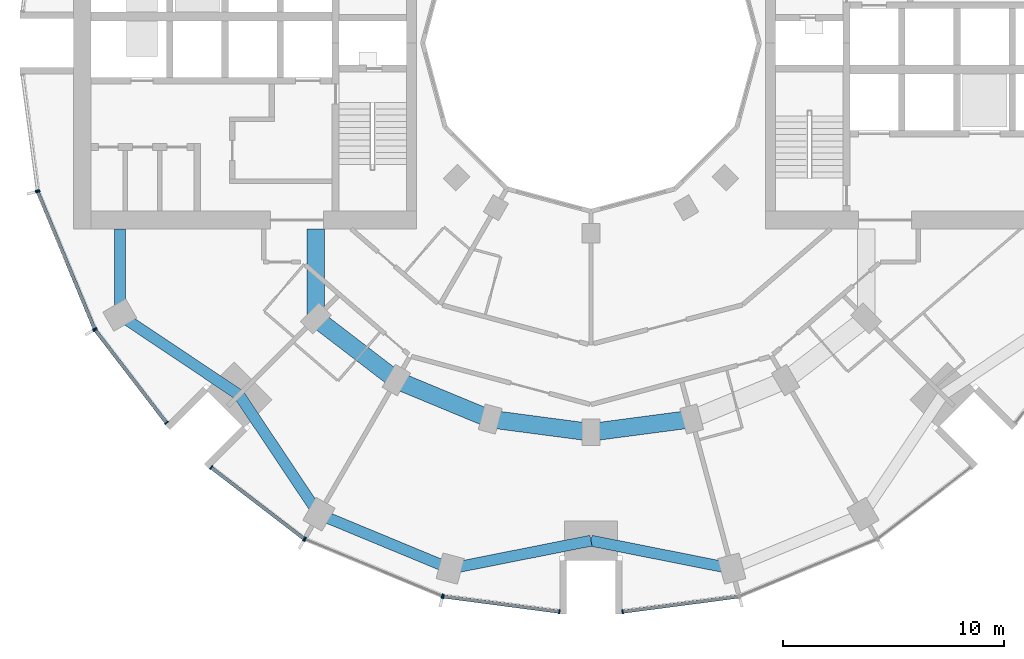
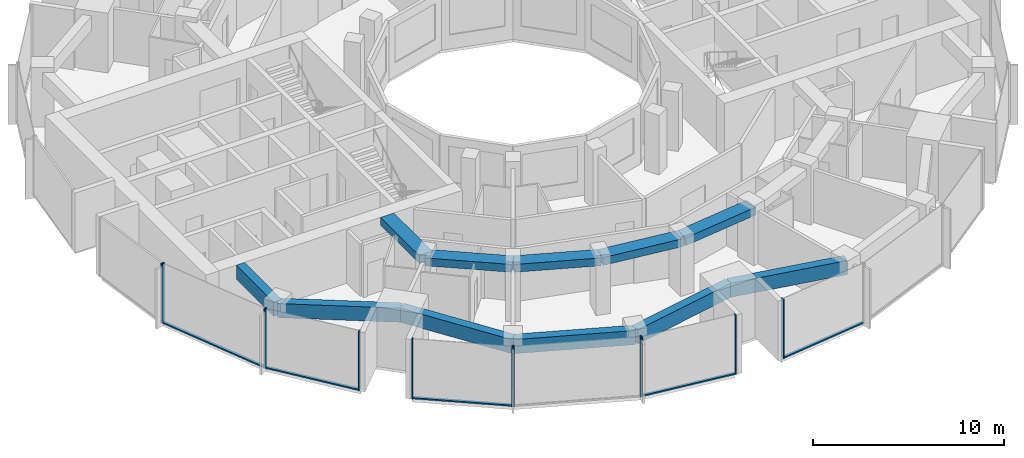
# One storey, part 2 of 15: 17 members, 11 beams, 7 elements without a shape of their own.
"""IFC4 building model written with IfcOpenShell, lengths in metres."""

import ifcopenshell
import ifcopenshell.guid

model = None  # the IFC model being written
_history = None  # IfcOwnerHistory: only IFC2X3 demands one
_inside = {}  # id of a spatial element -> (the spatial element, [elements in it])
_under = {}  # id of a project, library or spatial element -> (it, [spatial elements below it])
_declared = {}  # id of a project -> (the project, [libraries it declares])
_typed = {}  # id of a type object -> (the type object, [elements of that type])
_made_of = {}  # id of a material, layer set ... -> (it, [elements and type objects made of it])


def new_model(schema):
    """Start an empty IFC model of exactly this schema.

    Asked for "IFC4X3", IfcOpenShell would pick the latest addendum, in which some entities
    have other attributes; the version numbers below select the first issue.
    IFC2X3 requires an IfcOwnerHistory on every rooted entity: one is made here for all.
    """
    global model, _history
    if schema == "IFC4X3":
        model = ifcopenshell.file(schema_version=(4, 3, 0, 0))
    else:
        model = ifcopenshell.file(schema=schema)
    _inside.clear()
    _under.clear()
    _declared.clear()
    _typed.clear()
    _made_of.clear()
    _history = None
    if model.schema == "IFC2X3":
        org = make("IfcOrganization", Name="unknown")
        user = make(
            "IfcPersonAndOrganization",
            ThePerson=make("IfcPerson", FamilyName="unknown"),
            TheOrganization=org,
        )
        app = make(
            "IfcApplication",
            ApplicationDeveloper=org,
            Version="unknown",
            ApplicationFullName="unknown",
            ApplicationIdentifier="unknown",
        )
        _history = make(
            "IfcOwnerHistory",
            OwningUser=user,
            OwningApplication=app,
            ChangeAction="ADDED",
            CreationDate=0,
        )
    return model


def make(cls, **values):
    """One entity of the class cls with the attributes given. An attribute that is None is left unset."""
    return model.create_entity(
        cls, **{name: value for name, value in values.items() if value is not None}
    )


def rooted(cls, **values):
    """An entity with a GlobalId (a new one), such as an element, a storey or a relation."""
    return make(cls, GlobalId=ifcopenshell.guid.new(), OwnerHistory=_history, **values)


def si_unit(unit_type, name, prefix=None):
    """IfcSIUnit, for example si_unit("LENGTHUNIT", "METRE", prefix="MILLI")."""
    return make("IfcSIUnit", UnitType=unit_type, Prefix=prefix, Name=name)


def assignment(units):
    """IfcUnitAssignment: the units of a project."""
    return None if units is None else make("IfcUnitAssignment", Units=units)


def point(xyz):
    """IfcCartesianPoint."""
    return None if xyz is None else make("IfcCartesianPoint", Coordinates=xyz)


def direction(xyz):
    """IfcDirection."""
    return None if xyz is None else make("IfcDirection", DirectionRatios=xyz)


def frame(location, z_axis=None, x_axis=None):
    """IfcAxis2Placement3D, a coordinate frame: its origin and axes. An axis left out is left unset."""
    return make(
        "IfcAxis2Placement3D",
        Location=point(location),
        Axis=direction(z_axis),
        RefDirection=direction(x_axis),
    )


def frame_2d(location, x_axis=None):
    """IfcAxis2Placement2D, a coordinate frame in the plane: its origin and x axis."""
    return make(
        "IfcAxis2Placement2D", Location=point(location), RefDirection=direction(x_axis)
    )


def origin():
    """The frame at (0, 0, 0) with its axes left unset."""
    return frame((0.0, 0.0, 0.0))


def origin_2d():
    """The frame at (0, 0) in the plane with its x axis left unset."""
    return frame_2d((0.0, 0.0))


def place(relative_to, where):
    """IfcLocalPlacement: puts the frame where relative to a parent placement (None: the world)."""
    return make(
        "IfcLocalPlacement", PlacementRelTo=relative_to, RelativePlacement=where
    )


def context(
    kind, dimensions, precision=None, world=None, true_north=None, identifier=None
):
    """IfcGeometricRepresentationContext, for example the 3D "Model" context."""
    return make(
        "IfcGeometricRepresentationContext",
        ContextIdentifier=identifier,
        ContextType=kind,
        CoordinateSpaceDimension=dimensions,
        Precision=precision,
        WorldCoordinateSystem=world,
        TrueNorth=true_north,
    )


def subcontext(parent, identifier, kind, view, scale=None):
    """IfcGeometricRepresentationSubContext, for example "Body" below "Model"."""
    return make(
        "IfcGeometricRepresentationSubContext",
        ContextIdentifier=identifier,
        ContextType=kind,
        ParentContext=parent,
        TargetScale=scale,
        TargetView=view,
    )


def project(units=None, contexts=None):
    """IfcProject with its units and contexts."""
    return rooted(
        "IfcProject",
        Name="project",
        RepresentationContexts=contexts,
        UnitsInContext=assignment(units),
    )


def spatial(cls, under=None, at=None, **own):
    """A site, building, storey or space (cls), placed at a placement, below another one or the project."""
    s = rooted(cls, ObjectPlacement=at, **own)
    if under is not None:
        _under.setdefault(under.id(), (under, []))[1].append(s)
    return s


def profile(cls, at=None, kind="AREA", **sizes):
    """A parametric profile (cls). Its sizes go by their IFC names, for example OverallWidth=200.0."""
    return make(cls, ProfileType=kind, Position=at, **sizes)


def rectangle(**sizes):
    """IfcRectangleProfileDef."""
    return profile("IfcRectangleProfileDef", **sizes)


def extrude(swept, where, along, depth):
    """IfcExtrudedAreaSolid: the profile swept, set in the frame where, extruded along a direction by depth."""
    return make(
        "IfcExtrudedAreaSolid",
        SweptArea=swept,
        Position=where,
        ExtrudedDirection=direction(along),
        Depth=depth,
    )


def shape(context_of_items, identifier, shape_type, items):
    """IfcShapeRepresentation: the items that make up one representation, for example the "Body"."""
    return make(
        "IfcShapeRepresentation",
        ContextOfItems=context_of_items,
        RepresentationIdentifier=identifier,
        RepresentationType=shape_type,
        Items=items,
    )


def material(Name=None, Category=None):
    """IfcMaterial."""
    return make("IfcMaterial", Name=Name, Category=Category)


def layer(
    of_material, thickness, ventilated=None, Name=None, Category=None, Priority=None
):
    """IfcMaterialLayer: one layer of a wall or slab, of a material (None: an air gap)."""
    return make(
        "IfcMaterialLayer",
        Material=of_material,
        LayerThickness=thickness,
        IsVentilated=ventilated,
        Name=Name,
        Category=Category,
        Priority=Priority,
    )


def layer_set(layers, Name=None):
    """IfcMaterialLayerSet."""
    return make("IfcMaterialLayerSet", MaterialLayers=layers, LayerSetName=Name)


def material_profile(
    of_material, cross_section, Name=None, Category=None, Priority=None
):
    """IfcMaterialProfile: a cross section and its material."""
    return make(
        "IfcMaterialProfile",
        Name=Name,
        Material=of_material,
        Profile=cross_section,
        Priority=Priority,
        Category=Category,
    )


def profile_set(profiles, Name=None, composite=None):
    """IfcMaterialProfileSet."""
    return make(
        "IfcMaterialProfileSet",
        Name=Name,
        MaterialProfiles=profiles,
        CompositeProfile=composite,
    )


def made_of(thing, what):
    """Note that an element or type object is made of a material, layer set ...; save() writes the relation."""
    if what is not None:
        _made_of.setdefault(what.id(), (what, []))[1].append(thing)
    return thing


def type_object(cls, material=None, **own):
    """A type object (cls), such as IfcWallType, which elements share."""
    return made_of(rooted(cls, **own), material)


def element(
    cls,
    number,
    at=None,
    inside=None,
    cuts=None,
    type_object=None,
    material=None,
    context=None,
    identifier="Body",
    shape_type=None,
    held_by="IfcProductDefinitionShape",
    body=None,
    shapes=None,
    **own,
):
    """One element of the class cls, such as IfcWall. Its Tag is "e" and its number.

    at: its placement. inside: the storey or other place that contains it. cuts: it is an
    opening in that element (IfcRelVoidsElement). A single representation is given by context,
    identifier, shape_type and body (its items); several are given by shapes. held_by: the class
    of the entity that holds the representations. save() writes the other relations.
    """
    e = rooted(cls, Tag="e%d" % number, ObjectPlacement=at, **own)
    if body is not None:
        shapes = [shape(context, identifier, shape_type, body)]
    if shapes is not None:
        e.Representation = make(held_by, Representations=shapes)
    if inside is not None:
        _inside.setdefault(inside.id(), (inside, []))[1].append(e)
    if cuts is not None:
        rooted(
            "IfcRelVoidsElement", RelatingBuildingElement=cuts, RelatedOpeningElement=e
        )
    if type_object is not None:
        _typed.setdefault(type_object.id(), (type_object, []))[1].append(e)
    return made_of(e, material)


def aggregate(whole, parts):
    """IfcRelAggregates: a whole, such as a stair, and the parts it consists of."""
    return rooted("IfcRelAggregates", RelatingObject=whole, RelatedObjects=parts)


def save(model, path):
    """Write the relations noted so far, then the file.

    IfcRelAggregates (storeys below a building ...), IfcRelContainedInSpatialStructure (elements
    in a storey), IfcRelDefinesByType, IfcRelAssociatesMaterial and IfcRelDeclares: one each for
    every whole, place, type object, material and project.
    """
    for whole, parts in _under.values():
        aggregate(whole, parts)
    for where, things in _inside.values():
        rooted(
            "IfcRelContainedInSpatialStructure",
            RelatedElements=things,
            RelatingStructure=where,
        )
    for kind, things in _typed.values():
        rooted("IfcRelDefinesByType", RelatedObjects=things, RelatingType=kind)
    for what, things in _made_of.values():
        rooted("IfcRelAssociatesMaterial", RelatedObjects=things, RelatingMaterial=what)
    for by, libraries in _declared.values():
        rooted("IfcRelDeclares", RelatingContext=by, RelatedDefinitions=libraries)
    model.write(path)


model = new_model("IFC4")

# Units and contexts
model_context = context("Model", 3, precision=1e-05, world=origin(), true_north=direction((0.0, 1.0)))
body_context = subcontext(model_context, "Body", "Model", "MODEL_VIEW")
ifc_project = project(units=[si_unit("LENGTHUNIT", "METRE"), si_unit("AREAUNIT", "SQUARE_METRE"), si_unit("VOLUMEUNIT", "CUBIC_METRE"), si_unit("PLANEANGLEUNIT", "RADIAN"), si_unit("MASSUNIT", "GRAM", prefix="KILO")], contexts=[model_context])

# Site, building, storey
site_placement = place(None, origin())
site = spatial("IfcSite", under=ifc_project, at=site_placement, CompositionType="ELEMENT")
building_placement = place(site_placement, origin())
building = spatial("IfcBuilding", under=site, at=building_placement, Name="Torre Brocal", CompositionType="ELEMENT")
storey_placement = place(building_placement, frame((0.0, 0.0, 93.800048828125)))
storey = spatial("IfcBuildingStorey", under=building, at=storey_placement, Name="L21", CompositionType="ELEMENT", Elevation=93.800048828125)

# Curtain wall, members
ifc_material_1 = material(Name="Aluminium and glass", Category="aluminium")
ifc_layer_1 = layer(ifc_material_1, 0.199951171875)
ifc_layer_set_1 = layer_set([ifc_layer_1], Name="Aluminium and glass")
curtain_wall_type_1 = type_object("IfcCurtainWallType", Name="CW-1 CURTAIN WALL 3800 HIGH", PredefinedType="NOTDEFINED", material=ifc_layer_set_1)
curtain_wall_1_placement = place(storey_placement, origin())
curtain_wall_1 = element("IfcCurtainWall", 1, at=curtain_wall_1_placement, inside=storey, type_object=curtain_wall_type_1, Name="CW-1 RUN 14", PredefinedType="NOTDEFINED")
ifc_material_2 = material(Name="Aluminium, dark anodised", Category="aluminium")
ifc_material_profile_1 = material_profile(ifc_material_2, rectangle(XDim=0.199951171875, YDim=0.06005859375, at=origin_2d()), Name="CW-1 MULLION 60X200")
ifc_profile_set_1 = profile_set([ifc_material_profile_1], Name="Aluminium, dark anodised")
member_type_1 = type_object("IfcMemberType", Name="CW-1 MULLION 60X200", PredefinedType="MULLION", material=ifc_profile_set_1)
member_1_placement = place(storey_placement, frame((54.994873046875, 68.26904296875, 0.0), z_axis=(0.0, 0.0, 1.0), x_axis=(0.923879532525, 0.382683432333, 0.0)))
member_1 = element("IfcMember", 2, at=member_1_placement, type_object=member_type_1, Name="CW1-1 mullion 1", PredefinedType="MULLION", context=body_context, shape_type="SweptSolid", body=[
    extrude(rectangle(XDim=0.199951171875, YDim=0.06005859375, at=origin_2d()), origin(), (0.0, 0.0, 1.0), 3.800048828125),
])
member_2_placement = place(storey_placement, frame((57.559326171875, 62.078125, 0.0), z_axis=(0.0, 0.0, 1.0), x_axis=(0.923879532525, 0.382683432333, 0.0)))
member_2 = element("IfcMember", 3, at=member_2_placement, type_object=member_type_1, Name="CW1-1 mullion 2", PredefinedType="MULLION", context=body_context, shape_type="SweptSolid", body=[
    extrude(rectangle(XDim=0.199951171875, YDim=0.06005859375, at=origin_2d()), origin(), (0.0, 0.0, 1.0), 3.800048828125),
])

curtain_wall_2_placement = place(storey_placement, origin())
curtain_wall_2 = element("IfcCurtainWall", 4, at=curtain_wall_2_placement, inside=storey, type_object=curtain_wall_type_1, Name="CW-1 RUN 15", PredefinedType="NOTDEFINED")
member_3_placement = place(storey_placement, frame((57.5888671875, 62.026611328125, 0.0), z_axis=(0.0, 0.0, 1.0), x_axis=(0.793353340259, 0.60876142905, 0.0)))
member_3 = element("IfcMember", 5, at=member_3_placement, type_object=member_type_1, Name="CW1-1 mullion 1", PredefinedType="MULLION", context=body_context, shape_type="SweptSolid", body=[
    extrude(rectangle(XDim=0.199951171875, YDim=0.06005859375, at=origin_2d()), origin(), (0.0, 0.0, 1.0), 3.800048828125),
])
member_4_placement = place(storey_placement, frame((60.80859375, 57.83056640625, 0.0), z_axis=(0.0, 0.0, 1.0), x_axis=(0.793353340259, 0.60876142905, 0.0)))
member_4 = element("IfcMember", 6, at=member_4_placement, type_object=member_type_1, Name="CW1-1 mullion 2", PredefinedType="MULLION", context=body_context, shape_type="SweptSolid", body=[
    extrude(rectangle(XDim=0.199951171875, YDim=0.06005859375, at=origin_2d()), origin(), (0.0, 0.0, 1.0), 3.800048828125),
])

curtain_wall_3_placement = place(storey_placement, origin())
curtain_wall_3 = element("IfcCurtainWall", 7, at=curtain_wall_3_placement, inside=storey, type_object=curtain_wall_type_1, Name="CW-1 RUN 16", PredefinedType="NOTDEFINED")
member_5_placement = place(storey_placement, frame((62.83056640625, 55.80859375, 0.0), z_axis=(0.0, 0.0, 1.0), x_axis=(0.60876142905, 0.793353340259, 0.0)))
member_5 = element("IfcMember", 8, at=member_5_placement, type_object=member_type_1, Name="CW1-1 mullion 1", PredefinedType="MULLION", context=body_context, shape_type="SweptSolid", body=[
    extrude(rectangle(XDim=0.199951171875, YDim=0.06005859375, at=origin_2d()), origin(), (0.0, 0.0, 1.0), 3.800048828125),
])
member_6_placement = place(storey_placement, frame((67.026611328125, 52.5888671875, 0.0), z_axis=(0.0, 0.0, 1.0), x_axis=(0.60876142905, 0.793353340259, 0.0)))
member_6 = element("IfcMember", 9, at=member_6_placement, type_object=member_type_1, Name="CW1-1 mullion 2", PredefinedType="MULLION", context=body_context, shape_type="SweptSolid", body=[
    extrude(rectangle(XDim=0.199951171875, YDim=0.06005859375, at=origin_2d()), origin(), (0.0, 0.0, 1.0), 3.800048828125),
])

curtain_wall_4_placement = place(storey_placement, origin())
curtain_wall_4 = element("IfcCurtainWall", 10, at=curtain_wall_4_placement, inside=storey, type_object=curtain_wall_type_1, Name="CW-1 RUN 17", PredefinedType="NOTDEFINED")
member_7_placement = place(storey_placement, frame((67.078125, 52.559326171875, 0.0), z_axis=(0.0, 0.0, 1.0), x_axis=(0.382683432333, 0.923879532525, 0.0)))
member_7 = element("IfcMember", 11, at=member_7_placement, type_object=member_type_1, Name="CW1-1 mullion 1", PredefinedType="MULLION", context=body_context, shape_type="SweptSolid", body=[
    extrude(rectangle(XDim=0.199951171875, YDim=0.06005859375, at=origin_2d()), origin(), (0.0, 0.0, 1.0), 3.800048828125),
])
member_8_placement = place(storey_placement, frame((73.26904296875, 49.994873046875, 0.0), z_axis=(0.0, 0.0, 1.0), x_axis=(0.382683432333, 0.923879532525, 0.0)))
member_8 = element("IfcMember", 12, at=member_8_placement, type_object=member_type_1, Name="CW1-1 mullion 2", PredefinedType="MULLION", context=body_context, shape_type="SweptSolid", body=[
    extrude(rectangle(XDim=0.199951171875, YDim=0.06005859375, at=origin_2d()), origin(), (0.0, 0.0, 1.0), 3.800048828125),
])
aggregate(curtain_wall_4, [member_7, member_8])

curtain_wall_5_placement = place(storey_placement, origin())
curtain_wall_5 = element("IfcCurtainWall", 13, at=curtain_wall_5_placement, inside=storey, type_object=curtain_wall_type_1, Name="CW-1 RUN 18", PredefinedType="NOTDEFINED")
member_9_placement = place(storey_placement, frame((73.32666015625, 49.9794921875, 0.0), z_axis=(0.0, 0.0, 1.0), x_axis=(0.13052619222, 0.991444861374, 0.0)))
member_9 = element("IfcMember", 14, at=member_9_placement, type_object=member_type_1, Name="CW1-1 mullion 1", PredefinedType="MULLION", context=body_context, shape_type="SweptSolid", body=[
    extrude(rectangle(XDim=0.199951171875, YDim=0.06005859375, at=origin_2d()), origin(), (0.0, 0.0, 1.0), 3.800048828125),
])
member_10_placement = place(storey_placement, frame((78.5703125, 49.2890625, 0.0), z_axis=(0.0, 0.0, 1.0), x_axis=(0.13052619222, 0.991444861374, 0.0)))
member_10 = element("IfcMember", 15, at=member_10_placement, type_object=member_type_1, Name="CW1-1 mullion 2", PredefinedType="MULLION", context=body_context, shape_type="SweptSolid", body=[
    extrude(rectangle(XDim=0.199951171875, YDim=0.06005859375, at=origin_2d()), origin(), (0.0, 0.0, 1.0), 3.800048828125),
])

# Curtain wall, member
curtain_wall_6_placement = place(storey_placement, origin())
curtain_wall_6 = element("IfcCurtainWall", 16, at=curtain_wall_6_placement, inside=storey, type_object=curtain_wall_type_1, Name="CW-1 RUN 19", PredefinedType="NOTDEFINED")
member_11_placement = place(storey_placement, frame((81.4296875, 49.2890625, 0.0), z_axis=(0.0, 0.0, 1.0), x_axis=(-0.13052619222, 0.991444861374, 0.0)))
member_11 = element("IfcMember", 17, at=member_11_placement, type_object=member_type_1, Name="CW1-1 mullion 1", PredefinedType="MULLION", context=body_context, shape_type="SweptSolid", body=[
    extrude(rectangle(XDim=0.199951171875, YDim=0.06005859375, at=origin_2d()), origin(), (0.0, 0.0, 1.0), 3.800048828125),
])

# Member
ifc_material_3 = material(Name="Aluminium, dark anodised", Category="aluminium")
ifc_material_profile_2 = material_profile(ifc_material_3, rectangle(XDim=0.159912109375, YDim=0.080078125, at=origin_2d()), Name="CW-1 TRANSOM 160X80")
ifc_profile_set_2 = profile_set([ifc_material_profile_2], Name="Aluminium, dark anodised")
member_type_2 = type_object("IfcMemberType", Name="CW-1 TRANSOM 160X80", PredefinedType="USERDEFINED", material=ifc_profile_set_2)
member_12_placement = place(storey_placement, frame((55.00634765625, 68.241455078125, 0.0400390625), z_axis=(0.38266457234, -0.923887344364, 0.0), x_axis=(0.923887344364, 0.38266457234, 0.0)))
member_12 = element("IfcMember", 18, at=member_12_placement, type_object=member_type_2, Name="CW1-1 transom 1.1", ObjectType="TRANSOM", PredefinedType="USERDEFINED", context=body_context, shape_type="SweptSolid", body=[
    extrude(rectangle(XDim=0.159912109375, YDim=0.080078125, at=origin_2d()), origin(), (0.0, 0.0, 1.0), 6.640869140625),
])

aggregate(curtain_wall_1, [member_1, member_2, member_12])

member_13_placement = place(storey_placement, frame((57.607177734375, 62.0029296875, 0.0400390625), z_axis=(0.60874908096, -0.79336281513, 0.0), x_axis=(0.79336281513, 0.60874908096, 0.0)))
member_13 = element("IfcMember", 19, at=member_13_placement, type_object=member_type_2, Name="CW1-1 transom 1.1", ObjectType="TRANSOM", PredefinedType="USERDEFINED", context=body_context, shape_type="SweptSolid", body=[
    extrude(rectangle(XDim=0.159912109375, YDim=0.080078125, at=origin_2d()), origin(), (0.0, 0.0, 1.0), 5.22900390625),
])

aggregate(curtain_wall_2, [member_3, member_4, member_13])

member_14_placement = place(storey_placement, frame((62.8544921875, 55.790283203125, 0.0400390625), z_axis=(0.79336281513, -0.60874908096, 0.0), x_axis=(0.60874908096, 0.79336281513, 0.0)))
member_14 = element("IfcMember", 20, at=member_14_placement, type_object=member_type_2, Name="CW1-1 transom 1.1", ObjectType="TRANSOM", PredefinedType="USERDEFINED", context=body_context, shape_type="SweptSolid", body=[
    extrude(rectangle(XDim=0.159912109375, YDim=0.080078125, at=origin_2d()), origin(), (0.0, 0.0, 1.0), 5.22900390625),
])

aggregate(curtain_wall_3, [member_5, member_6, member_14])

member_15_placement = place(storey_placement, frame((73.356201171875, 49.9755859375, 0.0400390625), z_axis=(0.991442690863, -0.130542677827, 0.0), x_axis=(0.130542677827, 0.991442690863, 0.0)))
member_15 = element("IfcMember", 21, at=member_15_placement, type_object=member_type_2, Name="CW1-1 transom 1.1", ObjectType="TRANSOM", PredefinedType="USERDEFINED", context=body_context, shape_type="SweptSolid", body=[
    extrude(rectangle(XDim=0.159912109375, YDim=0.080078125, at=origin_2d()), origin(), (0.0, 0.0, 1.0), 5.22900390625),
])

aggregate(curtain_wall_5, [member_9, member_10, member_15])

member_16_placement = place(storey_placement, frame((81.45947265625, 49.29296875, 0.0400390625), z_axis=(0.991442690863, 0.130542677827, 0.0), x_axis=(-0.130542677827, 0.991442690863, 0.0)))
member_16 = element("IfcMember", 22, at=member_16_placement, type_object=member_type_2, Name="CW1-1 transom 1.1", ObjectType="TRANSOM", PredefinedType="USERDEFINED", context=body_context, shape_type="SweptSolid", body=[
    extrude(rectangle(XDim=0.159912109375, YDim=0.080078125, at=origin_2d()), origin(), (0.0, 0.0, 1.0), 5.22900390625),
])

aggregate(curtain_wall_6, [member_11, member_16])

# Curtain wall, member
ifc_material_4 = material(Name="Aluminium and glass", Category="aluminium")
ifc_layer_2 = layer(ifc_material_4, 0.199951171875)
ifc_layer_set_2 = layer_set([ifc_layer_2], Name="Aluminium and glass")
curtain_wall_type_2 = type_object("IfcCurtainWallType", Name="CW-1B CURTAIN WALL 3800 HIGH", PredefinedType="NOTDEFINED", material=ifc_layer_set_2)
curtain_wall_7_placement = place(storey_placement, origin())
curtain_wall_7 = element("IfcCurtainWall", 23, at=curtain_wall_7_placement, inside=storey, type_object=curtain_wall_type_2, Name="CW-1B RUN 13", PredefinedType="NOTDEFINED")
ifc_material_5 = material(Name="Aluminium, dark anodised", Category="aluminium")
ifc_material_profile_3 = material_profile(ifc_material_5, rectangle(XDim=0.199951171875, YDim=0.06005859375, at=origin_2d()), Name="CW-1B MULLION 60X200")
ifc_profile_set_3 = profile_set([ifc_material_profile_3], Name="Aluminium, dark anodised")
member_type_3 = type_object("IfcMemberType", Name="CW-1B MULLION 60X200", PredefinedType="MULLION", material=ifc_profile_set_3)
member_17_placement = place(storey_placement, frame((54.9794921875, 68.32666015625, 0.0), z_axis=(0.0, 0.0, 1.0), x_axis=(0.991444861374, 0.13052619222, 0.0)))
member_17 = element("IfcMember", 24, at=member_17_placement, type_object=member_type_3, Name="CW1B-1 mullion 2", PredefinedType="MULLION", context=body_context, shape_type="SweptSolid", body=[
    extrude(rectangle(XDim=0.199951171875, YDim=0.06005859375, at=origin_2d()), origin(), (0.0, 0.0, 1.0), 3.800048828125),
])
aggregate(curtain_wall_7, [member_17])

# Beams
ifc_material_6 = material(Name="Concrete C50", Category="concrete")
ifc_material_profile_4 = material_profile(ifc_material_6, rectangle(XDim=0.800048828125, YDim=0.5, at=origin_2d()), Name="RC 800X500")
ifc_profile_set_4 = profile_set([ifc_material_profile_4], Name="Concrete C50")
beam_type_1 = type_object("IfcBeamType", Name="RC BEAM 800X500 C50 TOP 3480", PredefinedType="BEAM", material=ifc_profile_set_4)
beam_1_placement = place(storey_placement, frame((67.554931640625, 62.554931640625, 3.22998046875), z_axis=(0.0, 1.0, 0.0), x_axis=(-1.0, 0.0, 0.0)))
element("IfcBeam", 25, at=beam_1_placement, inside=storey, type_object=beam_type_1, Name="Beam BT-19", PredefinedType="BEAM", context=body_context, shape_type="SweptSolid", body=[
    extrude(rectangle(XDim=0.800048828125, YDim=0.5, at=origin_2d()), origin(), (0.0, 0.0, 1.0), 4.045166015625),
])
beam_2_placement = place(storey_placement, frame((67.554931640625, 62.554931640625, 3.22998046875), z_axis=(0.793358265959, -0.6087550097, 0.0), x_axis=(0.6087550097, 0.793358265959, 0.0)))
element("IfcBeam", 26, at=beam_2_placement, inside=storey, type_object=beam_type_1, Name="Beam BT-19", PredefinedType="BEAM", context=body_context, shape_type="SweptSolid", body=[
    extrude(rectangle(XDim=0.800048828125, YDim=0.5, at=origin_2d()), origin(), (0.0, 0.0, 1.0), 4.594482421875),
])
beam_3_placement = place(storey_placement, frame((71.199951171875, 59.758056640625, 3.22998046875), z_axis=(0.923878240166, -0.382686552348, 0.0), x_axis=(0.382686552348, 0.923878240166, 0.0)))
element("IfcBeam", 27, at=beam_3_placement, inside=storey, type_object=beam_type_1, Name="Beam BT-19", PredefinedType="BEAM", context=body_context, shape_type="SweptSolid", body=[
    extrude(rectangle(XDim=0.800048828125, YDim=0.5, at=origin_2d()), origin(), (0.0, 0.0, 1.0), 4.5947265625),
])
for number, where, z_axis, x_axis, name in (
    (28, (75.44482421875, 57.999755859375, 3.22998046875), (0.991440544449, -0.130558978332, 0.0), (0.130558978332, 0.991440544449, 0.0), "Beam BT-19"),
    (29, (80.0, 57.39990234375, 3.22998046875), (0.991440544449, 0.130558978332, 0.0), (-0.130558978332, 0.991440544449, 0.0), "Beam BT-19"),
):
    element("IfcBeam", number, at=place(storey_placement, frame(where, z_axis=z_axis, x_axis=x_axis)), inside=storey, type_object=beam_type_1, Name=name, PredefinedType="BEAM", context=body_context, shape_type="SweptSolid", body=[
        extrude(rectangle(XDim=0.800048828125, YDim=0.5, at=origin_2d()), origin(), (0.0, 0.0, 1.0), 4.594482421875),
    ])
ifc_material_7 = material(Name="Concrete C50", Category="concrete")
ifc_material_profile_5 = material_profile(ifc_material_7, rectangle(XDim=0.5, YDim=0.89990234375, at=origin_2d()), Name="RC 500X900")
ifc_profile_set_5 = profile_set([ifc_material_profile_5], Name="Concrete C50")
beam_type_2 = type_object("IfcBeamType", Name="RC SPANDREL BEAM 500X900 C50 TOP 3480", PredefinedType="SPANDREL", material=ifc_profile_set_5)
beam_4_placement = place(storey_placement, frame((58.69580078125, 62.699951171875, 3.030029296875), z_axis=(0.0, 1.0, 0.0), x_axis=(-1.0, 0.0, 0.0)))
element("IfcBeam", 30, at=beam_4_placement, inside=storey, type_object=beam_type_2, Name="Beam BT-20", PredefinedType="SPANDREL", context=body_context, shape_type="SweptSolid", body=[
    extrude(rectangle(XDim=0.5, YDim=0.89990234375, at=origin_2d()), origin(), (0.0, 0.0, 1.0), 3.900146484375),
])
for number, where, z_axis, x_axis, name in (
    (31, (58.69580078125, 62.699951171875, 3.030029296875), (0.831076844476, -0.556157602282, 0.0), (0.556157602282, 0.831076844476, 0.0), "Beam BT-20"),
    (32, (64.090087890625, 59.090087890625, 3.030029296875), (0.556157602282, -0.831076844476, 0.0), (0.831076844476, 0.556157602282, 0.0), "Beam BT-20"),
):
    element("IfcBeam", number, at=place(storey_placement, frame(where, z_axis=z_axis, x_axis=x_axis)), inside=storey, type_object=beam_type_2, Name=name, PredefinedType="SPANDREL", context=body_context, shape_type="SweptSolid", body=[
        extrude(rectangle(XDim=0.5, YDim=0.89990234375, at=origin_2d()), origin(), (0.0, 0.0, 1.0), 6.49072265625),
    ])
beam_5_placement = place(storey_placement, frame((67.699951171875, 53.69580078125, 3.030029296875), z_axis=(0.923882462513, -0.382676358639, 0.0), x_axis=(0.382676358639, 0.923882462513, 0.0)))
element("IfcBeam", 33, at=beam_5_placement, inside=storey, type_object=beam_type_2, Name="Beam BT-20", PredefinedType="SPANDREL", context=body_context, shape_type="SweptSolid", body=[
    extrude(rectangle(XDim=0.5, YDim=0.89990234375, at=origin_2d()), origin(), (0.0, 0.0, 1.0), 6.421875),
])
for number, where, z_axis, x_axis, name in (
    (34, (73.633056640625, 51.23828125, 3.030029296875), (0.980924907484, 0.194387051723, 0.0), (-0.194387051723, 0.980924907484, 0.0), "Beam BT-20"),
    (35, (80.0, 52.5, 3.030029296875), (0.980924907484, -0.194387051723, 0.0), (0.194387051723, 0.980924907484, 0.0), "Beam BT-20"),
):
    element("IfcBeam", number, at=place(storey_placement, frame(where, z_axis=z_axis, x_axis=x_axis)), inside=storey, type_object=beam_type_2, Name=name, PredefinedType="SPANDREL", context=body_context, shape_type="SweptSolid", body=[
        extrude(rectangle(XDim=0.5, YDim=0.89990234375, at=origin_2d()), origin(), (0.0, 0.0, 1.0), 6.49072265625),
    ])

save(model, "model.ifc")
